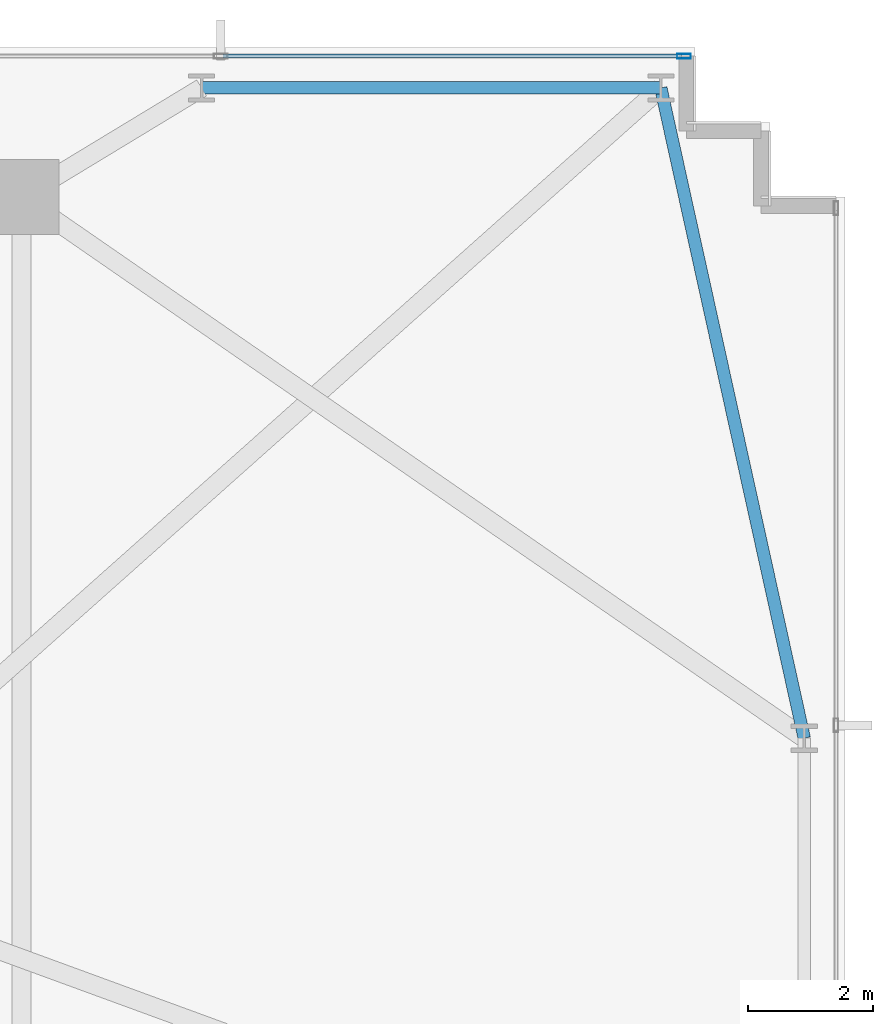
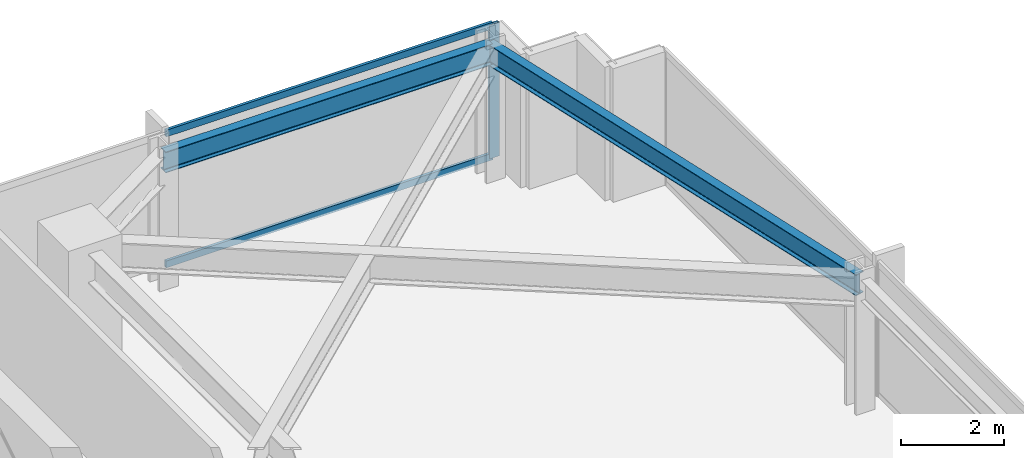
# One storey, part 21 of 33: 3 members, 2 beams, 1 element without a shape of its own.
"""IFC4 building model written with IfcOpenShell, lengths in metres."""

from ifc_helpers import new_model, si_unit, direction, frame, origin, origin_2d, place, context, subcontext, project, spatial, hollow_rectangle, i_section, extrude, material, material_profile, profile_set, type_object, element, aggregate, save


model = new_model("IFC4")

# Units and contexts
model_context = context("Model", 3, precision=1e-05, world=origin(), true_north=direction((0.0, 1.0)))
body_context = subcontext(model_context, "Body", "Model", "MODEL_VIEW")
ifc_project = project(units=[si_unit("LENGTHUNIT", "METRE"), si_unit("AREAUNIT", "SQUARE_METRE"), si_unit("VOLUMEUNIT", "CUBIC_METRE"), si_unit("PLANEANGLEUNIT", "RADIAN"), si_unit("MASSUNIT", "GRAM", prefix="KILO")], contexts=[model_context])

# Site, building, storey
site_placement = place(None, origin())
site = spatial("IfcSite", under=ifc_project, at=site_placement, CompositionType="ELEMENT")
building_placement = place(site_placement, origin())
building = spatial("IfcBuilding", under=site, at=building_placement, Name="Yelkora Congress Tower", CompositionType="ELEMENT")
storey_placement = place(building_placement, frame((0.0, 0.0, 64.39990234375)))
storey = spatial("IfcBuildingStorey", under=building, at=storey_placement, Name="L16", CompositionType="ELEMENT", Elevation=64.39990234375)

# Beams
ifc_material_1 = material(Name="Steel S355J2", Category="steel")
ifc_material_profile_1 = material_profile(ifc_material_1, i_section(OverallWidth=0.199951171875, OverallDepth=0.5, WebThickness=0.01025390625, FlangeThickness=0.01611328125, FilletRadius=0.02099609375, at=origin_2d()), Name="IPE 500")
ifc_profile_set_1 = profile_set([ifc_material_profile_1], Name="Steel S355J2")
beam_type = type_object("IfcBeamType", Name="BM-SPAN-IPE500", PredefinedType="SPANDREL", material=ifc_profile_set_1)
beam_1_placement = place(storey_placement, frame((70.14990234375, 37.52490234375, 2.93017578125), z_axis=(-0.215424087425, 0.97652058993, 0.0), x_axis=(-0.97652058993, -0.215424087425, 0.0)))
element("IfcBeam", 1, at=beam_1_placement, inside=storey, type_object=beam_type, Name="L16 Perimeter Beam 13", PredefinedType="SPANDREL", context=body_context, shape_type="SweptSolid", body=[
    extrude(i_section(OverallWidth=0.199951171875, OverallDepth=0.5, WebThickness=0.01025390625, FlangeThickness=0.01611328125, FilletRadius=0.02099609375, at=origin_2d()), origin(), (0.0, 0.0, 1.0), 10.67578125),
])
beam_2_placement = place(storey_placement, frame((67.85009765625, 47.949951171875, 2.93017578125), z_axis=(-1.0, 0.0, 0.0), x_axis=(0.0, -1.0, 0.0)))
element("IfcBeam", 2, at=beam_2_placement, inside=storey, type_object=beam_type, Name="L16 Perimeter Beam 14", PredefinedType="SPANDREL", context=body_context, shape_type="SweptSolid", body=[
    extrude(i_section(OverallWidth=0.199951171875, OverallDepth=0.5, WebThickness=0.01025390625, FlangeThickness=0.01611328125, FilletRadius=0.02099609375, at=origin_2d()), origin(), (0.0, 0.0, 1.0), 7.362548828125),
])

# Curtain wall, members
ifc_material_2 = material(Name="Anodised aluminium and insulated glass", Category="aluminium")
curtain_wall_type = type_object("IfcCurtainWallType", Name="CW-SYS-B1", PredefinedType="NOTDEFINED", material=ifc_material_2)
curtain_wall_placement = place(storey_placement, origin())
curtain_wall = element("IfcCurtainWall", 3, at=curtain_wall_placement, inside=storey, type_object=curtain_wall_type, Name="L16 Unitised Curtain Wall 10", PredefinedType="NOTDEFINED")
ifc_material_3 = material(Name="Anodised aluminium 6063-T6", Category="aluminium")
ifc_material_profile_2 = material_profile(ifc_material_3, hollow_rectangle(XDim=0.074951171875, YDim=0.219970703125, WallThickness=0.0048828125, at=origin_2d()), Name="ALU 75x220x5")
ifc_profile_set_2 = profile_set([ifc_material_profile_2], Name="Anodised aluminium 6063-T6")
member_type_1 = type_object("IfcMemberType", Name="MEM-ML-B1", PredefinedType="MULLION", material=ifc_profile_set_2)
member_1_placement = place(storey_placement, frame((68.222412109375, 48.4599609375, 0.0), z_axis=(0.0, 0.0, 1.0), x_axis=(0.0, 1.0, 0.0)))
member_1 = element("IfcMember", 4, at=member_1_placement, type_object=member_type_1, Name="CW-B1 mullion 9", PredefinedType="MULLION", context=body_context, shape_type="SweptSolid", body=[
    extrude(hollow_rectangle(XDim=0.074951171875, YDim=0.219970703125, WallThickness=0.0048828125, at=origin_2d()), origin(), (0.0, 0.0, 1.0), 3.18017578125),
])
ifc_material_profile_3 = material_profile(ifc_material_3, hollow_rectangle(XDim=0.06494140625, YDim=0.159912109375, WallThickness=0.00390625, at=origin_2d()), Name="ALU 65x160x4")
ifc_profile_set_3 = profile_set([ifc_material_profile_3], Name="Anodised aluminium 6063-T6")
member_type_2 = type_object("IfcMemberType", Name="MEM-TR-B1", PredefinedType="USERDEFINED", material=ifc_profile_set_3)
member_2_placement = place(storey_placement, frame((60.83251953125, 48.4599609375, 0.03271484375), z_axis=(1.0, 0.0, 0.0), x_axis=(0.0, 1.0, 0.0)))
member_2 = element("IfcMember", 5, at=member_2_placement, type_object=member_type_2, Name="CW-B1 transom 8.1", ObjectType="TRANSOM", PredefinedType="USERDEFINED", context=body_context, shape_type="SweptSolid", body=[
    extrude(hollow_rectangle(XDim=0.06494140625, YDim=0.159912109375, WallThickness=0.00390625, at=origin_2d()), origin(), (0.0, 0.0, 1.0), 7.3525390625),
])
member_3_placement = place(storey_placement, frame((60.83251953125, 48.4599609375, 3.147705078125), z_axis=(1.0, 0.0, 0.0), x_axis=(0.0, 1.0, 0.0)))
member_3 = element("IfcMember", 6, at=member_3_placement, type_object=member_type_2, Name="CW-B1 transom 8.2", ObjectType="TRANSOM", PredefinedType="USERDEFINED", context=body_context, shape_type="SweptSolid", body=[
    extrude(hollow_rectangle(XDim=0.06494140625, YDim=0.159912109375, WallThickness=0.00390625, at=origin_2d()), origin(), (0.0, 0.0, 1.0), 7.3525390625),
])
aggregate(curtain_wall, [member_1, member_2, member_3])

save(model, "model.ifc")
